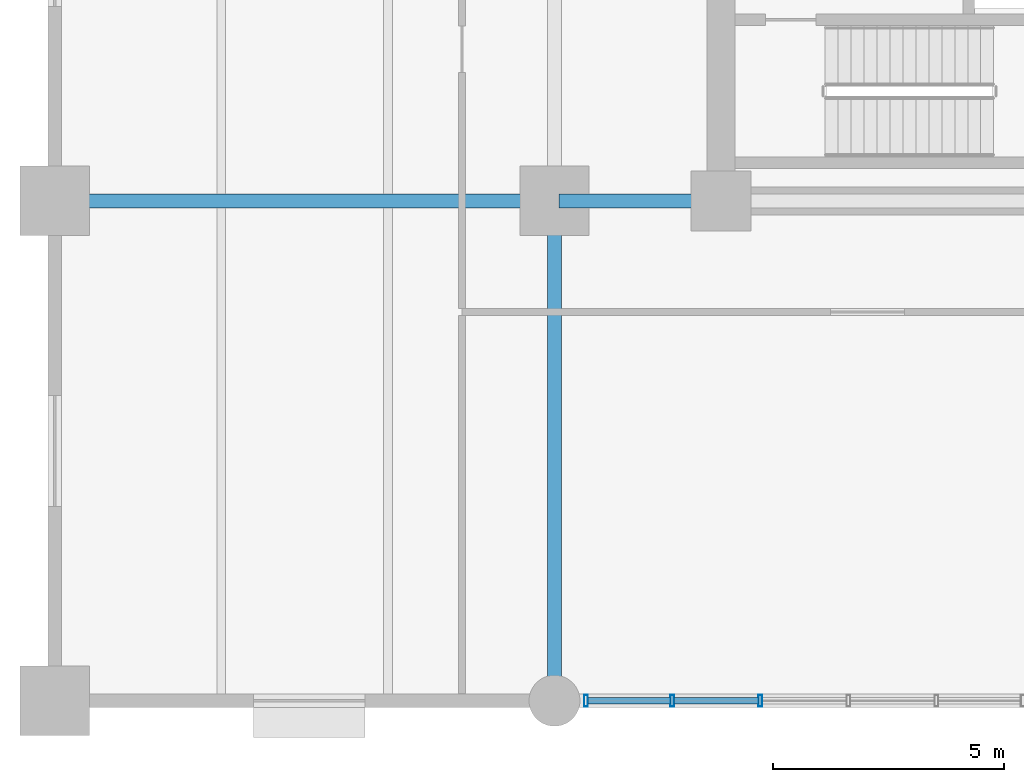
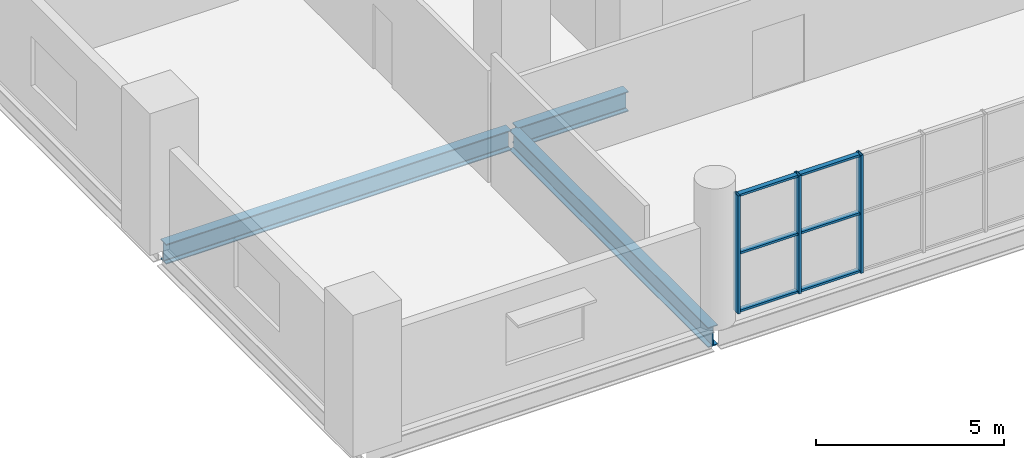
# One storey, part 2 of 16: 9 members, 3 beams, 1 element without a shape of its own.
"""IFC4 building model written with IfcOpenShell, lengths in metres."""

from ifc_helpers import new_model, si_unit, direction, frame, origin, origin_2d, place, context, subcontext, project, spatial, hollow_rectangle, i_section, extrude, material, layer, layer_set, material_profile, profile_set, type_object, element, aggregate, save


model = new_model("IFC4")

# Units and contexts
model_context = context("Model", 3, precision=1e-05, world=origin(), true_north=direction((0.0, 1.0)))
body_context = subcontext(model_context, "Body", "Model", "MODEL_VIEW")
ifc_project = project(units=[si_unit("LENGTHUNIT", "METRE"), si_unit("AREAUNIT", "SQUARE_METRE"), si_unit("VOLUMEUNIT", "CUBIC_METRE"), si_unit("PLANEANGLEUNIT", "RADIAN"), si_unit("MASSUNIT", "GRAM", prefix="KILO")], contexts=[model_context])

# Site, building, storey
site_placement = place(None, origin())
site = spatial("IfcSite", under=ifc_project, at=site_placement, CompositionType="ELEMENT")
building_placement = place(site_placement, origin())
building = spatial("IfcBuilding", under=site, at=building_placement, Name="Solnavia Interchange Tower", CompositionType="ELEMENT")
storey_placement = place(building_placement, frame((0.0, 0.0, 10.199951171875)))
storey = spatial("IfcBuildingStorey", under=building, at=storey_placement, Name="L02", CompositionType="ELEMENT", Elevation=10.199951171875)

# Beams
ifc_material_1 = material(Name="Steel S460", Category="steel")
ifc_material_profile_1 = material_profile(ifc_material_1, i_section(OverallWidth=0.300048828125, OverallDepth=0.64990234375, WebThickness=0.01611328125, FlangeThickness=0.031005859375, FilletRadius=0.027099609375, at=origin_2d()), Name="HEB 650")
ifc_profile_set_1 = profile_set([ifc_material_profile_1], Name="Steel S460")
beam_type = type_object("IfcBeamType", Name="Beam-Girder-HEB650", PredefinedType="BEAM", material=ifc_profile_set_1)
beam_1_placement = place(storey_placement, frame((0.10009765625, 10.800048828125, -0.625), z_axis=(1.0, 0.0, 0.0), x_axis=(0.0, 1.0, 0.0)))
element("IfcBeam", 1, at=beam_1_placement, inside=storey, type_object=beam_type, Name="GRD-L02-08 Podium primary girder", PredefinedType="BEAM", context=body_context, shape_type="SweptSolid", body=[
    extrude(i_section(OverallWidth=0.300048828125, OverallDepth=0.64990234375, WebThickness=0.01611328125, FlangeThickness=0.031005859375, FilletRadius=0.027099609375, at=origin_2d()), origin(), (0.0, 0.0, 1.0), 10.599853515625),
])
beam_2_placement = place(storey_placement, frame((10.89990234375, 10.800048828125, -0.625), z_axis=(1.0, 0.0, 0.0), x_axis=(0.0, 1.0, 0.0)))
element("IfcBeam", 2, at=beam_2_placement, inside=storey, type_object=beam_type, Name="GRD-L02-09 Podium primary girder", PredefinedType="BEAM", context=body_context, shape_type="SweptSolid", body=[
    extrude(i_section(OverallWidth=0.300048828125, OverallDepth=0.64990234375, WebThickness=0.01611328125, FlangeThickness=0.031005859375, FilletRadius=0.027099609375, at=origin_2d()), origin(), (0.0, 0.0, 1.0), 3.400146484375),
])
beam_3_placement = place(storey_placement, frame((10.800048828125, 0.10009765625, -0.625), z_axis=(0.0, 1.0, 0.0), x_axis=(-1.0, 0.0, 0.0)))
element("IfcBeam", 3, at=beam_3_placement, inside=storey, type_object=beam_type, Name="GRD-L02-49 Podium primary girder", PredefinedType="BEAM", context=body_context, shape_type="SweptSolid", body=[
    extrude(i_section(OverallWidth=0.300048828125, OverallDepth=0.64990234375, WebThickness=0.01611328125, FlangeThickness=0.031005859375, FilletRadius=0.027099609375, at=origin_2d()), origin(), (0.0, 0.0, 1.0), 10.599853515625),
])

# Curtain wall, members
ifc_material_2 = material(Name="Aluminium Alloy 6063-T6", Category="aluminium")
ifc_layer = layer(ifc_material_2, 0.27001953125)
ifc_layer_set = layer_set([ifc_layer], Name="Aluminium Alloy 6063-T6")
curtain_wall_type = type_object("IfcCurtainWallType", Name="CurtainWall-Podium-CTW1", PredefinedType="NOTDEFINED", material=ifc_layer_set)
curtain_wall_placement = place(storey_placement, origin())
curtain_wall = element("IfcCurtainWall", 4, at=curtain_wall_placement, inside=storey, type_object=curtain_wall_type, Name="CTW-L02-S02 CTW-1 curtain wall", PredefinedType="NOTDEFINED")
ifc_material_profile_2 = material_profile(ifc_material_2, hollow_rectangle(XDim=0.080078125, YDim=0.25, WallThickness=0.006103515625, at=origin_2d()), Name="ALU 250x80x6")
ifc_profile_set_2 = profile_set([ifc_material_profile_2], Name="Aluminium Alloy 6063-T6")
member_type_1 = type_object("IfcMemberType", Name="CW-Mullion-CWM-1", PredefinedType="MULLION", material=ifc_profile_set_2)
member_1_placement = place(storey_placement, frame((15.248046875, 0.0, 0.0), z_axis=(0.0, 0.0, 1.0), x_axis=(-1.0, 0.0, 0.0)))
member_1 = element("IfcMember", 5, at=member_1_placement, type_object=member_type_1, Name="CTW-1 mullion 4", PredefinedType="MULLION", context=body_context, shape_type="SweptSolid", body=[
    extrude(hollow_rectangle(XDim=0.080078125, YDim=0.25, WallThickness=0.006103515625, at=origin_2d()), origin(), (0.0, 0.0, 1.0), 3.830078125),
])
member_2_placement = place(storey_placement, frame((13.343994140625, 0.0, 0.0), z_axis=(0.0, 0.0, 1.0), x_axis=(-1.0, 0.0, 0.0)))
member_2 = element("IfcMember", 6, at=member_2_placement, type_object=member_type_1, Name="CTW-1 mullion 5", PredefinedType="MULLION", context=body_context, shape_type="SweptSolid", body=[
    extrude(hollow_rectangle(XDim=0.080078125, YDim=0.25, WallThickness=0.006103515625, at=origin_2d()), origin(), (0.0, 0.0, 1.0), 3.830078125),
])
member_3_placement = place(storey_placement, frame((11.47998046875, 0.0, 0.0), z_axis=(0.0, 0.0, 1.0), x_axis=(-1.0, 0.0, 0.0)))
member_3 = element("IfcMember", 7, at=member_3_placement, type_object=member_type_1, Name="CTW-1 mullion 6", PredefinedType="MULLION", context=body_context, shape_type="SweptSolid", body=[
    extrude(hollow_rectangle(XDim=0.080078125, YDim=0.25, WallThickness=0.006103515625, at=origin_2d()), origin(), (0.0, 0.0, 1.0), 3.830078125),
])
ifc_material_profile_3 = material_profile(ifc_material_2, hollow_rectangle(XDim=0.070068359375, YDim=0.14990234375, WallThickness=0.00439453125, at=origin_2d()), Name="ALU 150x70x4.5")
ifc_profile_set_3 = profile_set([ifc_material_profile_3], Name="Aluminium Alloy 6063-T6")
member_type_2 = type_object("IfcMemberType", Name="CW-Transom-CWT-1", PredefinedType="USERDEFINED", material=ifc_profile_set_3)
member_4_placement = place(storey_placement, frame((15.2080078125, 0.0, 0.03515625), z_axis=(-1.0, 0.0, 0.0), x_axis=(0.0, 0.0, 1.0)))
member_4 = element("IfcMember", 8, at=member_4_placement, type_object=member_type_2, Name="CTW-1 transom 4.1", ObjectType="TRANSOM", PredefinedType="USERDEFINED", context=body_context, shape_type="SweptSolid", body=[
    extrude(hollow_rectangle(XDim=0.070068359375, YDim=0.14990234375, WallThickness=0.00439453125, at=origin_2d()), origin(), (0.0, 0.0, 1.0), 1.823974609375),
])
member_5_placement = place(storey_placement, frame((15.2080078125, 0.0, 1.9150390625), z_axis=(-1.0, 0.0, 0.0), x_axis=(0.0, 0.0, 1.0)))
member_5 = element("IfcMember", 9, at=member_5_placement, type_object=member_type_2, Name="CTW-1 transom 4.2", ObjectType="TRANSOM", PredefinedType="USERDEFINED", context=body_context, shape_type="SweptSolid", body=[
    extrude(hollow_rectangle(XDim=0.070068359375, YDim=0.14990234375, WallThickness=0.00439453125, at=origin_2d()), origin(), (0.0, 0.0, 1.0), 1.823974609375),
])
member_6_placement = place(storey_placement, frame((15.2080078125, 0.0, 3.795166015625), z_axis=(-1.0, 0.0, 0.0), x_axis=(0.0, 0.0, 1.0)))
member_6 = element("IfcMember", 10, at=member_6_placement, type_object=member_type_2, Name="CTW-1 transom 4.3", ObjectType="TRANSOM", PredefinedType="USERDEFINED", context=body_context, shape_type="SweptSolid", body=[
    extrude(hollow_rectangle(XDim=0.070068359375, YDim=0.14990234375, WallThickness=0.00439453125, at=origin_2d()), origin(), (0.0, 0.0, 1.0), 1.823974609375),
])
member_7_placement = place(storey_placement, frame((13.303955078125, 0.0, 0.03515625), z_axis=(-1.0, 0.0, 0.0), x_axis=(0.0, 0.0, 1.0)))
member_7 = element("IfcMember", 11, at=member_7_placement, type_object=member_type_2, Name="CTW-1 transom 5.1", ObjectType="TRANSOM", PredefinedType="USERDEFINED", context=body_context, shape_type="SweptSolid", body=[
    extrude(hollow_rectangle(XDim=0.070068359375, YDim=0.14990234375, WallThickness=0.00439453125, at=origin_2d()), origin(), (0.0, 0.0, 1.0), 1.783935546875),
])
member_8_placement = place(storey_placement, frame((13.303955078125, 0.0, 1.9150390625), z_axis=(-1.0, 0.0, 0.0), x_axis=(0.0, 0.0, 1.0)))
member_8 = element("IfcMember", 12, at=member_8_placement, type_object=member_type_2, Name="CTW-1 transom 5.2", ObjectType="TRANSOM", PredefinedType="USERDEFINED", context=body_context, shape_type="SweptSolid", body=[
    extrude(hollow_rectangle(XDim=0.070068359375, YDim=0.14990234375, WallThickness=0.00439453125, at=origin_2d()), origin(), (0.0, 0.0, 1.0), 1.783935546875),
])
member_9_placement = place(storey_placement, frame((13.303955078125, 0.0, 3.795166015625), z_axis=(-1.0, 0.0, 0.0), x_axis=(0.0, 0.0, 1.0)))
member_9 = element("IfcMember", 13, at=member_9_placement, type_object=member_type_2, Name="CTW-1 transom 5.3", ObjectType="TRANSOM", PredefinedType="USERDEFINED", context=body_context, shape_type="SweptSolid", body=[
    extrude(hollow_rectangle(XDim=0.070068359375, YDim=0.14990234375, WallThickness=0.00439453125, at=origin_2d()), origin(), (0.0, 0.0, 1.0), 1.783935546875),
])
aggregate(curtain_wall, [member_1, member_2, member_3, member_4, member_5, member_6, member_7, member_8, member_9])

save(model, "model.ifc")
